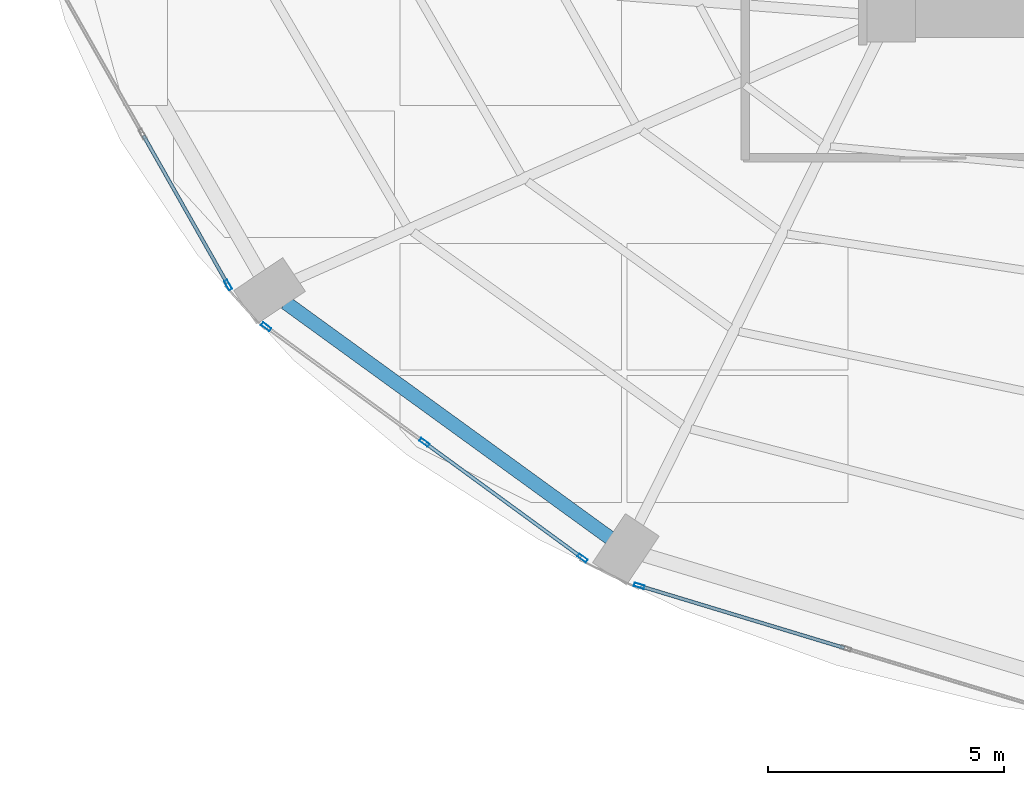
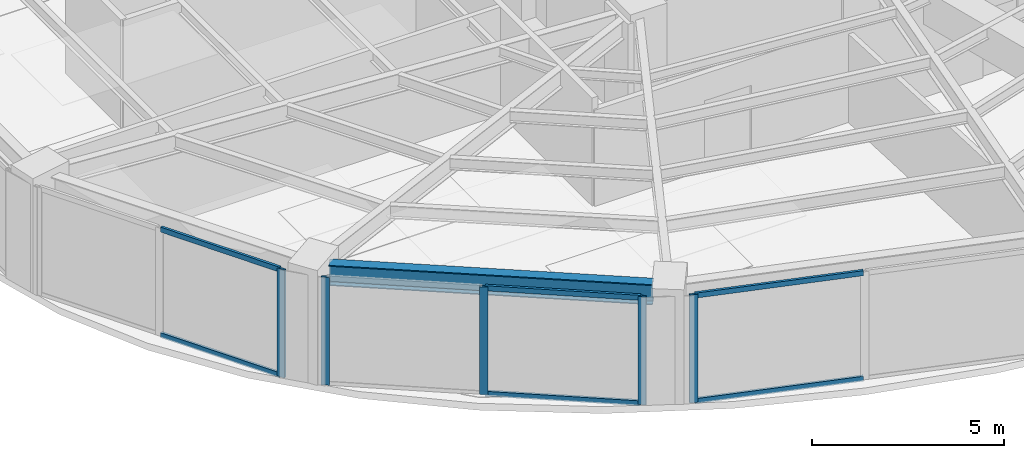
# One storey, part 2 of 24: 11 members, 1 beam, 3 elements without a shape of their own.
"""IFC4 building model written with IfcOpenShell, lengths in metres."""

from ifc_helpers import new_model, si_unit, direction, frame, origin, origin_2d, place, context, subcontext, project, spatial, hollow_rectangle, i_section, extrude, material, layer, layer_set, material_profile, profile_set, type_object, element, aggregate, save


model = new_model("IFC4")

# Units and contexts
model_context = context("Model", 3, precision=1e-05, world=origin(), true_north=direction((0.0, 1.0)))
body_context = subcontext(model_context, "Body", "Model", "MODEL_VIEW")
ifc_project = project(units=[si_unit("LENGTHUNIT", "METRE"), si_unit("AREAUNIT", "SQUARE_METRE"), si_unit("VOLUMEUNIT", "CUBIC_METRE"), si_unit("PLANEANGLEUNIT", "RADIAN"), si_unit("MASSUNIT", "GRAM", prefix="KILO")], contexts=[model_context])

# Site, building, storey
site_placement = place(None, origin())
site = spatial("IfcSite", under=ifc_project, at=site_placement, CompositionType="ELEMENT")
building_placement = place(site_placement, origin())
building = spatial("IfcBuilding", under=site, at=building_placement, Name="Lazwardi Medical Tower", CompositionType="ELEMENT")
storey_placement = place(building_placement, frame((0.0, 0.0, 68.97607421875)))
storey = spatial("IfcBuildingStorey", under=building, at=storey_placement, Name="L17", CompositionType="ELEMENT", Elevation=68.97607421875)

# Beam
ifc_material_1 = material(Name="Steel S355", Category="steel")
ifc_material_profile_1 = material_profile(ifc_material_1, i_section(OverallWidth=0.300048828125, OverallDepth=0.64990234375, WebThickness=0.01611328125, FlangeThickness=0.031005859375, at=origin_2d()), Name="HEB 650")
ifc_profile_set_1 = profile_set([ifc_material_profile_1], Name="Steel S355")
beam_type = type_object("IfcBeamType", Name="BM-RB-Z1", PredefinedType="BEAM", material=ifc_profile_set_1)
beam_placement = place(storey_placement, frame((13.6201171875, 14.339111328125, 3.10302734375), z_axis=(0.809407079515, -0.587247971159, 0.0), x_axis=(0.587247971159, 0.809407079515, 0.0)))
element("IfcBeam", 1, at=beam_placement, inside=storey, type_object=beam_type, Name="Ring beam RB-02 B14 L17", PredefinedType="BEAM", context=body_context, shape_type="SweptSolid", body=[
    extrude(i_section(OverallWidth=0.300048828125, OverallDepth=0.64990234375, WebThickness=0.01611328125, FlangeThickness=0.031005859375, at=origin_2d()), origin(), (0.0, 0.0, 1.0), 8.473876953125),
])

# Curtain wall, member
ifc_material_2 = material(Name="Anodised bronze aluminium and solar control glazing", Category="aluminium")
ifc_layer = layer(ifc_material_2, 0.199951171875)
ifc_layer_set = layer_set([ifc_layer], Name="Anodised bronze aluminium and solar control glazing")
curtain_wall_type = type_object("IfcCurtainWallType", Name="CW-SYS-02", PredefinedType="NOTDEFINED", material=ifc_layer_set)
curtain_wall_1_placement = place(storey_placement, origin())
curtain_wall_1 = element("IfcCurtainWall", 2, at=curtain_wall_1_placement, inside=storey, type_object=curtain_wall_type, Name="L17 Unitised bronze curtain wall CW-02", PredefinedType="NOTDEFINED")
ifc_material_3 = material(Name="Anodised bronze aluminium", Category="aluminium")
ifc_material_profile_2 = material_profile(ifc_material_3, hollow_rectangle(XDim=0.074951171875, YDim=0.219970703125, WallThickness=0.00390625, at=origin_2d()), Name="ALU-MULLION 220x75x4")
ifc_profile_set_2 = profile_set([ifc_material_profile_2], Name="Anodised bronze aluminium")
member_type_1 = type_object("IfcMemberType", Name="CW-MUL-01", PredefinedType="MULLION", material=ifc_profile_set_2)
member_1_placement = place(storey_placement, frame((12.4033203125, 14.71142578125, 0.0), z_axis=(0.0, 0.0, 1.0), x_axis=(0.870111838823, 0.492854327303, 0.0)))
member_1 = element("IfcMember", 3, at=member_1_placement, type_object=member_type_1, Name="CW-02 mullion 3", PredefinedType="MULLION", context=body_context, shape_type="SweptSolid", body=[
    extrude(hollow_rectangle(XDim=0.074951171875, YDim=0.219970703125, WallThickness=0.00390625, at=origin_2d()), origin(), (0.0, 0.0, 1.0), 3.427978515625),
])

# Curtain wall, members
curtain_wall_2_placement = place(storey_placement, origin())
curtain_wall_2 = element("IfcCurtainWall", 4, at=curtain_wall_2_placement, inside=storey, type_object=curtain_wall_type, Name="L17 Unitised bronze curtain wall CW-02", PredefinedType="NOTDEFINED")
member_2_placement = place(storey_placement, frame((13.209716796875, 13.827392578125, 0.0), z_axis=(0.0, 0.0, 1.0), x_axis=(0.590289307341, 0.807191757663, 0.0)))
member_2 = element("IfcMember", 5, at=member_2_placement, type_object=member_type_1, Name="CW-02 mullion 1", PredefinedType="MULLION", context=body_context, shape_type="SweptSolid", body=[
    extrude(hollow_rectangle(XDim=0.074951171875, YDim=0.219970703125, WallThickness=0.00390625, at=origin_2d()), origin(), (0.0, 0.0, 1.0), 3.427978515625),
])
member_3_placement = place(storey_placement, frame((16.5556640625, 11.380615234375, 0.0), z_axis=(0.0, 0.0, 1.0), x_axis=(0.590289307341, 0.807191757663, 0.0)))
member_3 = element("IfcMember", 6, at=member_3_placement, type_object=member_type_1, Name="CW-02 mullion 2", PredefinedType="MULLION", context=body_context, shape_type="SweptSolid", body=[
    extrude(hollow_rectangle(XDim=0.074951171875, YDim=0.219970703125, WallThickness=0.00390625, at=origin_2d()), origin(), (0.0, 0.0, 1.0), 3.427978515625),
])
member_4_placement = place(storey_placement, frame((19.9013671875, 8.933837890625, 0.0), z_axis=(0.0, 0.0, 1.0), x_axis=(0.590289307341, 0.807191757663, 0.0)))
member_4 = element("IfcMember", 7, at=member_4_placement, type_object=member_type_1, Name="CW-02 mullion 3", PredefinedType="MULLION", context=body_context, shape_type="SweptSolid", body=[
    extrude(hollow_rectangle(XDim=0.074951171875, YDim=0.219970703125, WallThickness=0.00390625, at=origin_2d()), origin(), (0.0, 0.0, 1.0), 3.427978515625),
])

# Curtain wall, member
curtain_wall_3_placement = place(storey_placement, origin())
curtain_wall_3 = element("IfcCurtainWall", 8, at=curtain_wall_3_placement, inside=storey, type_object=curtain_wall_type, Name="L17 Unitised bronze curtain wall CW-02", PredefinedType="NOTDEFINED")
member_5_placement = place(storey_placement, frame((21.1015625, 8.346923828125, 0.0), z_axis=(0.0, 0.0, 1.0), x_axis=(0.2898956909, 0.957058247129, 0.0)))
member_5 = element("IfcMember", 9, at=member_5_placement, type_object=member_type_1, Name="CW-02 mullion 1", PredefinedType="MULLION", context=body_context, shape_type="SweptSolid", body=[
    extrude(hollow_rectangle(XDim=0.074951171875, YDim=0.219970703125, WallThickness=0.00390625, at=origin_2d()), origin(), (0.0, 0.0, 1.0), 3.427978515625),
])

# Member
ifc_material_profile_3 = material_profile(ifc_material_3, hollow_rectangle(XDim=0.074951171875, YDim=0.159912109375, WallThickness=0.00390625, at=origin_2d()), Name="ALU-TRANSOM 160x75x4")
ifc_profile_set_3 = profile_set([ifc_material_profile_3], Name="Anodised bronze aluminium")
member_type_2 = type_object("IfcMemberType", Name="CW-TRN-01", PredefinedType="USERDEFINED", material=ifc_profile_set_3)
member_6_placement = place(storey_placement, frame((10.613037109375, 17.871826171875, 0.037353515625), z_axis=(0.492880614687, -0.870096948429, 0.0), x_axis=(0.870096948429, 0.492880614687, 0.0)))
member_6 = element("IfcMember", 10, at=member_6_placement, type_object=member_type_2, Name="CW-02 transom 2.1", ObjectType="TRANSOM", PredefinedType="USERDEFINED", context=body_context, shape_type="SweptSolid", body=[
    extrude(hollow_rectangle(XDim=0.074951171875, YDim=0.159912109375, WallThickness=0.00390625, at=origin_2d()), origin(), (0.0, 0.0, 1.0), 3.5947265625),
])

member_7_placement = place(storey_placement, frame((10.613037109375, 17.871826171875, 3.390380859375), z_axis=(0.492880614687, -0.870096948429, 0.0), x_axis=(0.870096948429, 0.492880614687, 0.0)))
member_7 = element("IfcMember", 11, at=member_7_placement, type_object=member_type_2, Name="CW-02 transom 2.2", ObjectType="TRANSOM", PredefinedType="USERDEFINED", context=body_context, shape_type="SweptSolid", body=[
    extrude(hollow_rectangle(XDim=0.074951171875, YDim=0.159912109375, WallThickness=0.00390625, at=origin_2d()), origin(), (0.0, 0.0, 1.0), 3.5947265625),
])

aggregate(curtain_wall_1, [member_1, member_6, member_7])

member_8_placement = place(storey_placement, frame((16.5859375, 11.358642578125, 0.037353515625), z_axis=(0.807169053975, -0.590320352271, 0.0), x_axis=(0.590320352271, 0.807169053975, 0.0)))
member_8 = element("IfcMember", 12, at=member_8_placement, type_object=member_type_2, Name="CW-02 transom 2.1", ObjectType="TRANSOM", PredefinedType="USERDEFINED", context=body_context, shape_type="SweptSolid", body=[
    extrude(hollow_rectangle(XDim=0.074951171875, YDim=0.159912109375, WallThickness=0.00390625, at=origin_2d()), origin(), (0.0, 0.0, 1.0), 4.070068359375),
])

member_9_placement = place(storey_placement, frame((16.5859375, 11.358642578125, 3.390380859375), z_axis=(0.807169053975, -0.590320352271, 0.0), x_axis=(0.590320352271, 0.807169053975, 0.0)))
member_9 = element("IfcMember", 13, at=member_9_placement, type_object=member_type_2, Name="CW-02 transom 2.2", ObjectType="TRANSOM", PredefinedType="USERDEFINED", context=body_context, shape_type="SweptSolid", body=[
    extrude(hollow_rectangle(XDim=0.074951171875, YDim=0.159912109375, WallThickness=0.00390625, at=origin_2d()), origin(), (0.0, 0.0, 1.0), 4.070068359375),
])

aggregate(curtain_wall_2, [member_2, member_3, member_4, member_8, member_9])

member_10_placement = place(storey_placement, frame((21.137451171875, 8.3359375, 0.037353515625), z_axis=(0.957062297904, -0.289882317383, 0.0), x_axis=(0.289882317383, 0.957062297904, 0.0)))
member_10 = element("IfcMember", 14, at=member_10_placement, type_object=member_type_2, Name="CW-02 transom 1.1", ObjectType="TRANSOM", PredefinedType="USERDEFINED", context=body_context, shape_type="SweptSolid", body=[
    extrude(hollow_rectangle(XDim=0.074951171875, YDim=0.159912109375, WallThickness=0.00390625, at=origin_2d()), origin(), (0.0, 0.0, 1.0), 4.49658203125),
])

member_11_placement = place(storey_placement, frame((21.137451171875, 8.3359375, 3.390380859375), z_axis=(0.957062297904, -0.289882317383, 0.0), x_axis=(0.289882317383, 0.957062297904, 0.0)))
member_11 = element("IfcMember", 15, at=member_11_placement, type_object=member_type_2, Name="CW-02 transom 1.2", ObjectType="TRANSOM", PredefinedType="USERDEFINED", context=body_context, shape_type="SweptSolid", body=[
    extrude(hollow_rectangle(XDim=0.074951171875, YDim=0.159912109375, WallThickness=0.00390625, at=origin_2d()), origin(), (0.0, 0.0, 1.0), 4.49658203125),
])

aggregate(curtain_wall_3, [member_5, member_10, member_11])

save(model, "model.ifc")
